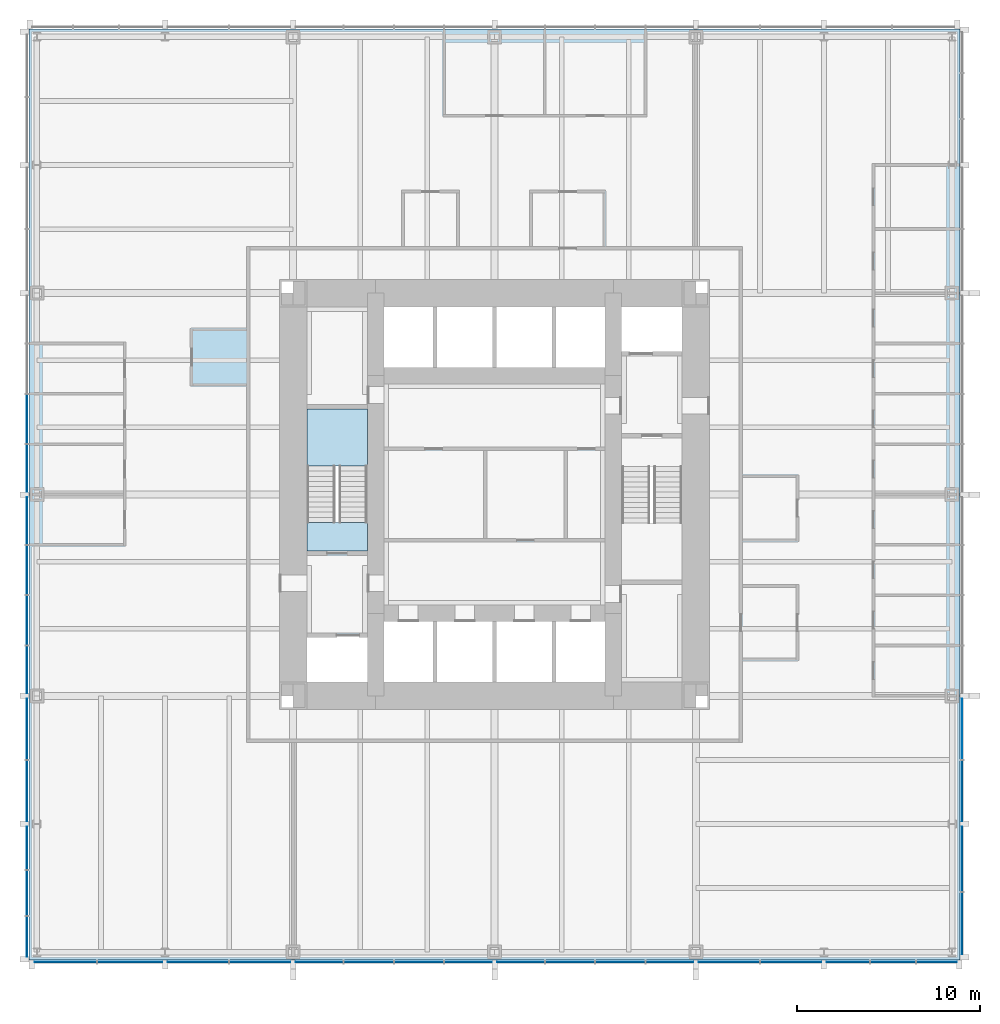
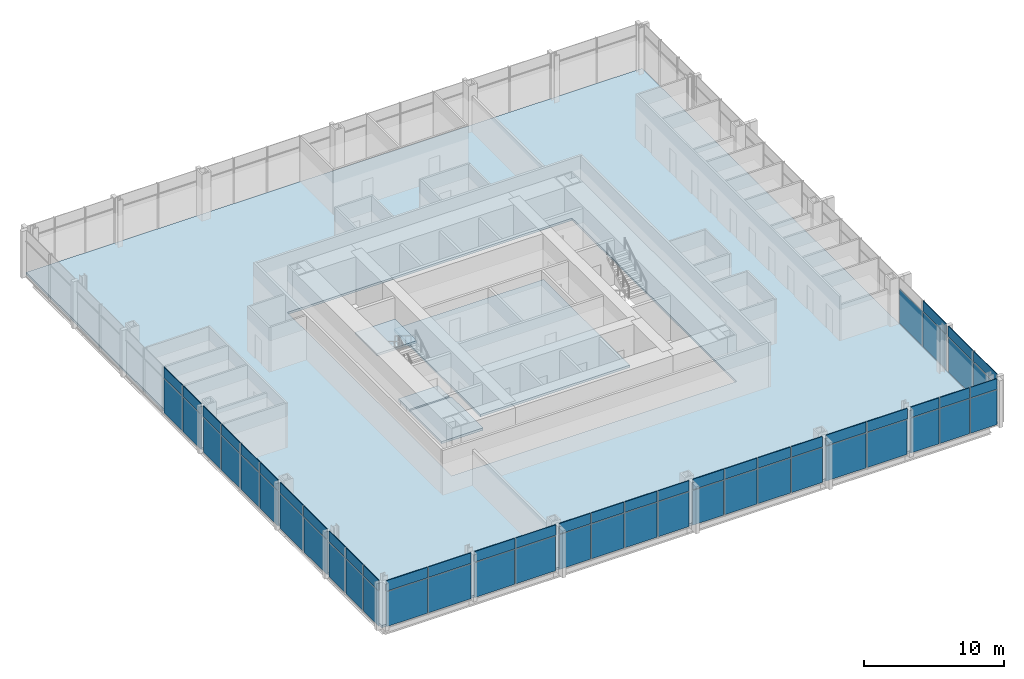
# One storey, part 7 of 12: 63 plates, 5 slabs, 4 elements without a shape of their own.
"""IFC4 building model written with IfcOpenShell, lengths in metres."""

from ifc_helpers import new_model, si_unit, direction, frame, origin, origin_2d, place, context, subcontext, project, spatial, polyline, rectangle, outline, extrude, material, layer, layer_set, type_object, element, aggregate, save


model = new_model("IFC4")

# Units and contexts
model_context = context("Model", 3, precision=1e-05, world=origin(), true_north=direction((0.0, 1.0)))
body_context = subcontext(model_context, "Body", "Model", "MODEL_VIEW")
ifc_project = project(units=[si_unit("LENGTHUNIT", "METRE"), si_unit("AREAUNIT", "SQUARE_METRE"), si_unit("VOLUMEUNIT", "CUBIC_METRE"), si_unit("PLANEANGLEUNIT", "RADIAN"), si_unit("MASSUNIT", "GRAM", prefix="KILO")], contexts=[model_context])

# Site, building, storey
site_placement = place(None, origin())
site = spatial("IfcSite", under=ifc_project, at=site_placement, CompositionType="ELEMENT")
building_placement = place(site_placement, origin())
building = spatial("IfcBuilding", under=site, at=building_placement, Name="Trevanion Tower", CompositionType="ELEMENT")
storey_placement = place(building_placement, frame((0.0, 0.0, 48.800048828125)))
storey = spatial("IfcBuildingStorey", under=building, at=storey_placement, Name="L11", CompositionType="ELEMENT", Elevation=48.800048828125)

# Curtain wall, plates
ifc_material_1 = material(Name="Aluminium and glass", Category="aluminium")
curtain_wall_type = type_object("IfcCurtainWallType", Name="CW1 curtain wall", PredefinedType="USERDEFINED", material=ifc_material_1)
curtain_wall_1_placement = place(storey_placement, origin())
curtain_wall_1 = element("IfcCurtainWall", 1, at=curtain_wall_1_placement, inside=storey, type_object=curtain_wall_type, Name="CW1 L11 0", ObjectType="UNITISED CURTAIN WALL", PredefinedType="USERDEFINED")
ifc_material_2 = material(Name="Aluminium spandrel panel", Category="aluminium")
ifc_layer_1 = layer(ifc_material_2, 0.06005859375)
ifc_layer_set_1 = layer_set([ifc_layer_1], Name="CW1 spandrel panel")
plate_type_1 = type_object("IfcPlateType", Name="CW1 spandrel panel", PredefinedType="CURTAIN_PANEL", material=ifc_layer_set_1)
plate_1_placement = place(storey_placement, frame((25.550048828125, -23.433837890625, 2.997314453125), z_axis=(0.0, 0.0, 1.0), x_axis=(0.0, 1.0, 0.0)))
plate_1 = element("IfcPlate", 2, at=plate_1_placement, type_object=plate_type_1, Name="CW1 panel 1.2", PredefinedType="CURTAIN_PANEL", context=body_context, shape_type="SweptSolid", body=[
    extrude(rectangle(XDim=3.37255859375, YDim=0.06005859375, at=origin_2d()), origin(), (0.0, 0.0, 1.0), 0.91259765625),
])
plate_2_placement = place(storey_placement, frame((25.550048828125, -19.911376953125, 2.997314453125), z_axis=(0.0, 0.0, 1.0), x_axis=(0.0, 1.0, 0.0)))
plate_2 = element("IfcPlate", 3, at=plate_2_placement, type_object=plate_type_1, Name="CW1 panel 2.2", PredefinedType="CURTAIN_PANEL", context=body_context, shape_type="SweptSolid", body=[
    extrude(rectangle(XDim=3.5224609375, YDim=0.06005859375, at=origin_2d()), origin(), (0.0, 0.0, 1.0), 0.91259765625),
])
plate_3_placement = place(storey_placement, frame((25.550048828125, -16.19384765625, 2.997314453125), z_axis=(0.0, 0.0, 1.0), x_axis=(0.0, 1.0, 0.0)))
plate_3 = element("IfcPlate", 4, at=plate_3_placement, type_object=plate_type_1, Name="CW1 panel 3.2", PredefinedType="CURTAIN_PANEL", context=body_context, shape_type="SweptSolid", body=[
    extrude(rectangle(XDim=3.3125, YDim=0.06005859375, at=origin_2d()), origin(), (0.0, 0.0, 1.0), 0.91259765625),
])

curtain_wall_2_placement = place(storey_placement, origin())
curtain_wall_2 = element("IfcCurtainWall", 5, at=curtain_wall_2_placement, inside=storey, type_object=curtain_wall_type, Name="CW1 L11 2", ObjectType="UNITISED CURTAIN WALL", PredefinedType="USERDEFINED")
plate_4_placement = place(storey_placement, frame((-25.550048828125, 4.125, 2.997314453125), z_axis=(0.0, 0.0, 1.0), x_axis=(0.0, -1.0, 0.0)))
plate_4 = element("IfcPlate", 6, at=plate_4_placement, type_object=plate_type_1, Name="CW1 panel 7.2", PredefinedType="CURTAIN_PANEL", context=body_context, shape_type="SweptSolid", body=[
    extrude(rectangle(XDim=2.675048828125, YDim=0.06005859375, at=origin_2d()), origin(), (0.0, 0.0, 1.0), 0.91259765625),
])
plate_5_placement = place(storey_placement, frame((-25.550048828125, 1.43115234375, 2.997314453125), z_axis=(0.0, 0.0, 1.0), x_axis=(0.0, -1.0, 0.0)))
plate_5 = element("IfcPlate", 7, at=plate_5_placement, type_object=plate_type_1, Name="CW1 panel 8.2", PredefinedType="CURTAIN_PANEL", context=body_context, shape_type="SweptSolid", body=[
    extrude(rectangle(XDim=2.5625, YDim=0.06005859375, at=origin_2d()), origin(), (0.0, 0.0, 1.0), 0.91259765625),
])
plate_6_placement = place(storey_placement, frame((-25.550048828125, -1.43115234375, 2.997314453125), z_axis=(0.0, 0.0, 1.0), x_axis=(0.0, -1.0, 0.0)))
plate_6 = element("IfcPlate", 8, at=plate_6_placement, type_object=plate_type_1, Name="CW1 panel 9.2", PredefinedType="CURTAIN_PANEL", context=body_context, shape_type="SweptSolid", body=[
    extrude(rectangle(XDim=2.5625, YDim=0.06005859375, at=origin_2d()), origin(), (0.0, 0.0, 1.0), 0.91259765625),
])
plate_7_placement = place(storey_placement, frame((-25.550048828125, -4.125, 2.997314453125), z_axis=(0.0, 0.0, 1.0), x_axis=(0.0, -1.0, 0.0)))
plate_7 = element("IfcPlate", 9, at=plate_7_placement, type_object=plate_type_1, Name="CW1 panel 10.2", PredefinedType="CURTAIN_PANEL", context=body_context, shape_type="SweptSolid", body=[
    extrude(rectangle(XDim=2.675048828125, YDim=0.06005859375, at=origin_2d()), origin(), (0.0, 0.0, 1.0), 0.91259765625),
])
plate_8_placement = place(storey_placement, frame((-25.550048828125, -6.875, 2.997314453125), z_axis=(0.0, 0.0, 1.0), x_axis=(0.0, -1.0, 0.0)))
plate_8 = element("IfcPlate", 10, at=plate_8_placement, type_object=plate_type_1, Name="CW1 panel 11.2", PredefinedType="CURTAIN_PANEL", context=body_context, shape_type="SweptSolid", body=[
    extrude(rectangle(XDim=2.675048828125, YDim=0.06005859375, at=origin_2d()), origin(), (0.0, 0.0, 1.0), 0.91259765625),
])
plate_9_placement = place(storey_placement, frame((-25.550048828125, -9.56884765625, 2.997314453125), z_axis=(0.0, 0.0, 1.0), x_axis=(0.0, -1.0, 0.0)))
plate_9 = element("IfcPlate", 11, at=plate_9_placement, type_object=plate_type_1, Name="CW1 panel 12.2", PredefinedType="CURTAIN_PANEL", context=body_context, shape_type="SweptSolid", body=[
    extrude(rectangle(XDim=2.5625, YDim=0.06005859375, at=origin_2d()), origin(), (0.0, 0.0, 1.0), 0.91259765625),
])
plate_10_placement = place(storey_placement, frame((-25.550048828125, -12.80615234375, 2.997314453125), z_axis=(0.0, 0.0, 1.0), x_axis=(0.0, -1.0, 0.0)))
plate_10 = element("IfcPlate", 12, at=plate_10_placement, type_object=plate_type_1, Name="CW1 panel 13.2", PredefinedType="CURTAIN_PANEL", context=body_context, shape_type="SweptSolid", body=[
    extrude(rectangle(XDim=3.3125, YDim=0.06005859375, at=origin_2d()), origin(), (0.0, 0.0, 1.0), 0.91259765625),
])
plate_11_placement = place(storey_placement, frame((-25.550048828125, -16.19384765625, 2.997314453125), z_axis=(0.0, 0.0, 1.0), x_axis=(0.0, -1.0, 0.0)))
plate_11 = element("IfcPlate", 13, at=plate_11_placement, type_object=plate_type_1, Name="CW1 panel 14.2", PredefinedType="CURTAIN_PANEL", context=body_context, shape_type="SweptSolid", body=[
    extrude(rectangle(XDim=3.3125, YDim=0.06005859375, at=origin_2d()), origin(), (0.0, 0.0, 1.0), 0.91259765625),
])
plate_12_placement = place(storey_placement, frame((-25.550048828125, -19.314697265625, 2.997314453125), z_axis=(0.0, 0.0, 1.0), x_axis=(0.0, -1.0, 0.0)))
plate_12 = element("IfcPlate", 14, at=plate_12_placement, type_object=plate_type_1, Name="CW1 panel 15.2", PredefinedType="CURTAIN_PANEL", context=body_context, shape_type="SweptSolid", body=[
    extrude(rectangle(XDim=2.3291015625, YDim=0.06005859375, at=origin_2d()), origin(), (0.0, 0.0, 1.0), 0.91259765625),
])
plate_13_placement = place(storey_placement, frame((-25.550048828125, -21.77490234375, 2.997314453125), z_axis=(0.0, 0.0, 1.0), x_axis=(0.0, -1.0, 0.0)))
plate_13 = element("IfcPlate", 15, at=plate_13_placement, type_object=plate_type_1, Name="CW1 panel 16.2", PredefinedType="CURTAIN_PANEL", context=body_context, shape_type="SweptSolid", body=[
    extrude(rectangle(XDim=2.441650390625, YDim=0.06005859375, at=origin_2d()), origin(), (0.0, 0.0, 1.0), 0.91259765625),
])
plate_14_placement = place(storey_placement, frame((-25.550048828125, -24.160400390625, 2.997314453125), z_axis=(0.0, 0.0, 1.0), x_axis=(0.0, -1.0, 0.0)))
plate_14 = element("IfcPlate", 16, at=plate_14_placement, type_object=plate_type_1, Name="CW1 panel 17.2", PredefinedType="CURTAIN_PANEL", context=body_context, shape_type="SweptSolid", body=[
    extrude(rectangle(XDim=2.17919921875, YDim=0.06005859375, at=origin_2d()), origin(), (0.0, 0.0, 1.0), 0.91259765625),
])

curtain_wall_3_placement = place(storey_placement, origin())
curtain_wall_3 = element("IfcCurtainWall", 17, at=curtain_wall_3_placement, inside=storey, type_object=curtain_wall_type, Name="CW1 L11 3", ObjectType="UNITISED CURTAIN WALL", PredefinedType="USERDEFINED")
plate_15_placement = place(storey_placement, frame((-23.433837890625, -25.550048828125, 2.997314453125), z_axis=(0.0, 0.0, 1.0), x_axis=(1.0, 0.0, 0.0)))
plate_15 = element("IfcPlate", 18, at=plate_15_placement, type_object=plate_type_1, Name="CW1 panel 1.2", PredefinedType="CURTAIN_PANEL", context=body_context, shape_type="SweptSolid", body=[
    extrude(rectangle(XDim=3.37255859375, YDim=0.06005859375, at=origin_2d()), origin(), (0.0, 0.0, 1.0), 0.91259765625),
])
plate_16_placement = place(storey_placement, frame((-19.911376953125, -25.550048828125, 2.997314453125), z_axis=(0.0, 0.0, 1.0), x_axis=(1.0, 0.0, 0.0)))
plate_16 = element("IfcPlate", 19, at=plate_16_placement, type_object=plate_type_1, Name="CW1 panel 2.2", PredefinedType="CURTAIN_PANEL", context=body_context, shape_type="SweptSolid", body=[
    extrude(rectangle(XDim=3.5224609375, YDim=0.06005859375, at=origin_2d()), origin(), (0.0, 0.0, 1.0), 0.91259765625),
])
plate_17_placement = place(storey_placement, frame((-16.19384765625, -25.550048828125, 2.997314453125), z_axis=(0.0, 0.0, 1.0), x_axis=(1.0, 0.0, 0.0)))
plate_17 = element("IfcPlate", 20, at=plate_17_placement, type_object=plate_type_1, Name="CW1 panel 3.2", PredefinedType="CURTAIN_PANEL", context=body_context, shape_type="SweptSolid", body=[
    extrude(rectangle(XDim=3.3125, YDim=0.06005859375, at=origin_2d()), origin(), (0.0, 0.0, 1.0), 0.91259765625),
])
plate_18_placement = place(storey_placement, frame((-12.806396484375, -25.550048828125, 2.997314453125), z_axis=(0.0, 0.0, 1.0), x_axis=(1.0, 0.0, 0.0)))
plate_18 = element("IfcPlate", 21, at=plate_18_placement, type_object=plate_type_1, Name="CW1 panel 4.2", PredefinedType="CURTAIN_PANEL", context=body_context, shape_type="SweptSolid", body=[
    extrude(rectangle(XDim=3.3125, YDim=0.06005859375, at=origin_2d()), origin(), (0.0, 0.0, 1.0), 0.91259765625),
])
plate_19_placement = place(storey_placement, frame((-9.56884765625, -25.550048828125, 2.997314453125), z_axis=(0.0, 0.0, 1.0), x_axis=(1.0, 0.0, 0.0)))
plate_19 = element("IfcPlate", 22, at=plate_19_placement, type_object=plate_type_1, Name="CW1 panel 5.2", PredefinedType="CURTAIN_PANEL", context=body_context, shape_type="SweptSolid", body=[
    extrude(rectangle(XDim=2.5625, YDim=0.06005859375, at=origin_2d()), origin(), (0.0, 0.0, 1.0), 0.91259765625),
])
plate_20_placement = place(storey_placement, frame((-6.875, -25.550048828125, 2.997314453125), z_axis=(0.0, 0.0, 1.0), x_axis=(1.0, 0.0, 0.0)))
plate_20 = element("IfcPlate", 23, at=plate_20_placement, type_object=plate_type_1, Name="CW1 panel 6.2", PredefinedType="CURTAIN_PANEL", context=body_context, shape_type="SweptSolid", body=[
    extrude(rectangle(XDim=2.675048828125, YDim=0.06005859375, at=origin_2d()), origin(), (0.0, 0.0, 1.0), 0.91259765625),
])
plate_21_placement = place(storey_placement, frame((-4.125, -25.550048828125, 2.997314453125), z_axis=(0.0, 0.0, 1.0), x_axis=(1.0, 0.0, 0.0)))
plate_21 = element("IfcPlate", 24, at=plate_21_placement, type_object=plate_type_1, Name="CW1 panel 7.2", PredefinedType="CURTAIN_PANEL", context=body_context, shape_type="SweptSolid", body=[
    extrude(rectangle(XDim=2.675048828125, YDim=0.06005859375, at=origin_2d()), origin(), (0.0, 0.0, 1.0), 0.91259765625),
])
plate_22_placement = place(storey_placement, frame((-1.43115234375, -25.550048828125, 2.997314453125), z_axis=(0.0, 0.0, 1.0), x_axis=(1.0, 0.0, 0.0)))
plate_22 = element("IfcPlate", 25, at=plate_22_placement, type_object=plate_type_1, Name="CW1 panel 8.2", PredefinedType="CURTAIN_PANEL", context=body_context, shape_type="SweptSolid", body=[
    extrude(rectangle(XDim=2.5625, YDim=0.06005859375, at=origin_2d()), origin(), (0.0, 0.0, 1.0), 0.91259765625),
])
plate_23_placement = place(storey_placement, frame((1.43115234375, -25.550048828125, 2.997314453125), z_axis=(0.0, 0.0, 1.0), x_axis=(1.0, 0.0, 0.0)))
plate_23 = element("IfcPlate", 26, at=plate_23_placement, type_object=plate_type_1, Name="CW1 panel 9.2", PredefinedType="CURTAIN_PANEL", context=body_context, shape_type="SweptSolid", body=[
    extrude(rectangle(XDim=2.5625, YDim=0.06005859375, at=origin_2d()), origin(), (0.0, 0.0, 1.0), 0.91259765625),
])
plate_24_placement = place(storey_placement, frame((4.125, -25.550048828125, 2.997314453125), z_axis=(0.0, 0.0, 1.0), x_axis=(1.0, 0.0, 0.0)))
plate_24 = element("IfcPlate", 27, at=plate_24_placement, type_object=plate_type_1, Name="CW1 panel 10.2", PredefinedType="CURTAIN_PANEL", context=body_context, shape_type="SweptSolid", body=[
    extrude(rectangle(XDim=2.675048828125, YDim=0.06005859375, at=origin_2d()), origin(), (0.0, 0.0, 1.0), 0.91259765625),
])
plate_25_placement = place(storey_placement, frame((6.875, -25.550048828125, 2.997314453125), z_axis=(0.0, 0.0, 1.0), x_axis=(1.0, 0.0, 0.0)))
plate_25 = element("IfcPlate", 28, at=plate_25_placement, type_object=plate_type_1, Name="CW1 panel 11.2", PredefinedType="CURTAIN_PANEL", context=body_context, shape_type="SweptSolid", body=[
    extrude(rectangle(XDim=2.675048828125, YDim=0.06005859375, at=origin_2d()), origin(), (0.0, 0.0, 1.0), 0.91259765625),
])
plate_26_placement = place(storey_placement, frame((9.56884765625, -25.550048828125, 2.997314453125), z_axis=(0.0, 0.0, 1.0), x_axis=(1.0, 0.0, 0.0)))
plate_26 = element("IfcPlate", 29, at=plate_26_placement, type_object=plate_type_1, Name="CW1 panel 12.2", PredefinedType="CURTAIN_PANEL", context=body_context, shape_type="SweptSolid", body=[
    extrude(rectangle(XDim=2.5625, YDim=0.06005859375, at=origin_2d()), origin(), (0.0, 0.0, 1.0), 0.91259765625),
])
plate_27_placement = place(storey_placement, frame((12.80615234375, -25.550048828125, 2.997314453125), z_axis=(0.0, 0.0, 1.0), x_axis=(1.0, 0.0, 0.0)))
plate_27 = element("IfcPlate", 30, at=plate_27_placement, type_object=plate_type_1, Name="CW1 panel 13.2", PredefinedType="CURTAIN_PANEL", context=body_context, shape_type="SweptSolid", body=[
    extrude(rectangle(XDim=3.3125, YDim=0.06005859375, at=origin_2d()), origin(), (0.0, 0.0, 1.0), 0.91259765625),
])
plate_28_placement = place(storey_placement, frame((16.19384765625, -25.550048828125, 2.997314453125), z_axis=(0.0, 0.0, 1.0), x_axis=(1.0, 0.0, 0.0)))
plate_28 = element("IfcPlate", 31, at=plate_28_placement, type_object=plate_type_1, Name="CW1 panel 14.2", PredefinedType="CURTAIN_PANEL", context=body_context, shape_type="SweptSolid", body=[
    extrude(rectangle(XDim=3.3125, YDim=0.06005859375, at=origin_2d()), origin(), (0.0, 0.0, 1.0), 0.91259765625),
])
plate_29_placement = place(storey_placement, frame((19.314697265625, -25.550048828125, 2.997314453125), z_axis=(0.0, 0.0, 1.0), x_axis=(1.0, 0.0, 0.0)))
plate_29 = element("IfcPlate", 32, at=plate_29_placement, type_object=plate_type_1, Name="CW1 panel 15.2", PredefinedType="CURTAIN_PANEL", context=body_context, shape_type="SweptSolid", body=[
    extrude(rectangle(XDim=2.3291015625, YDim=0.06005859375, at=origin_2d()), origin(), (0.0, 0.0, 1.0), 0.91259765625),
])
plate_30_placement = place(storey_placement, frame((21.77490234375, -25.550048828125, 2.997314453125), z_axis=(0.0, 0.0, 1.0), x_axis=(1.0, 0.0, 0.0)))
plate_30 = element("IfcPlate", 33, at=plate_30_placement, type_object=plate_type_1, Name="CW1 panel 16.2", PredefinedType="CURTAIN_PANEL", context=body_context, shape_type="SweptSolid", body=[
    extrude(rectangle(XDim=2.441650390625, YDim=0.06005859375, at=origin_2d()), origin(), (0.0, 0.0, 1.0), 0.91259765625),
])
plate_31_placement = place(storey_placement, frame((24.160400390625, -25.550048828125, 2.997314453125), z_axis=(0.0, 0.0, 1.0), x_axis=(1.0, 0.0, 0.0)))
plate_31 = element("IfcPlate", 34, at=plate_31_placement, type_object=plate_type_1, Name="CW1 panel 17.2", PredefinedType="CURTAIN_PANEL", context=body_context, shape_type="SweptSolid", body=[
    extrude(rectangle(XDim=2.17919921875, YDim=0.06005859375, at=origin_2d()), origin(), (0.0, 0.0, 1.0), 0.91259765625),
])

# Plate
ifc_material_3 = material(Name="Insulating glass unit", Category="glass")
ifc_layer_2 = layer(ifc_material_3, 0.028076171875)
ifc_layer_set_2 = layer_set([ifc_layer_2], Name="CW1 vision panel")
plate_type_2 = type_object("IfcPlateType", Name="CW1 vision panel", PredefinedType="CURTAIN_PANEL", material=ifc_layer_set_2)
plate_32_placement = place(storey_placement, frame((25.550048828125, -23.433837890625, -0.115234375), z_axis=(0.0, 0.0, 1.0), x_axis=(0.0, 1.0, 0.0)))
plate_32 = element("IfcPlate", 35, at=plate_32_placement, type_object=plate_type_2, Name="CW1 panel 1.1", PredefinedType="CURTAIN_PANEL", context=body_context, shape_type="SweptSolid", body=[
    extrude(rectangle(XDim=3.37255859375, YDim=0.028076171875, at=origin_2d()), origin(), (0.0, 0.0, 1.0), 3.03759765625),
])

plate_33_placement = place(storey_placement, frame((25.550048828125, -19.911376953125, -0.115234375), z_axis=(0.0, 0.0, 1.0), x_axis=(0.0, 1.0, 0.0)))
plate_33 = element("IfcPlate", 36, at=plate_33_placement, type_object=plate_type_2, Name="CW1 panel 2.1", PredefinedType="CURTAIN_PANEL", context=body_context, shape_type="SweptSolid", body=[
    extrude(rectangle(XDim=3.5224609375, YDim=0.028076171875, at=origin_2d()), origin(), (0.0, 0.0, 1.0), 3.03759765625),
])

plate_34_placement = place(storey_placement, frame((25.550048828125, -16.19384765625, -0.115234375), z_axis=(0.0, 0.0, 1.0), x_axis=(0.0, 1.0, 0.0)))
plate_34 = element("IfcPlate", 37, at=plate_34_placement, type_object=plate_type_2, Name="CW1 panel 3.1", PredefinedType="CURTAIN_PANEL", context=body_context, shape_type="SweptSolid", body=[
    extrude(rectangle(XDim=3.3125, YDim=0.028076171875, at=origin_2d()), origin(), (0.0, 0.0, 1.0), 3.03759765625),
])

plate_35_placement = place(storey_placement, frame((25.550048828125, -12.806396484375, -0.115234375), z_axis=(0.0, 0.0, 1.0), x_axis=(0.0, 1.0, 0.0)))
plate_35 = element("IfcPlate", 38, at=plate_35_placement, type_object=plate_type_2, Name="CW1 panel 4.1", PredefinedType="CURTAIN_PANEL", context=body_context, shape_type="SweptSolid", body=[
    extrude(rectangle(XDim=3.3125, YDim=0.028076171875, at=origin_2d()), origin(), (0.0, 0.0, 1.0), 3.03759765625),
])

aggregate(curtain_wall_1, [plate_32, plate_1, plate_33, plate_2, plate_34, plate_3, plate_35])

plate_36_placement = place(storey_placement, frame((-25.550048828125, 4.125, -0.115234375), z_axis=(0.0, 0.0, 1.0), x_axis=(0.0, -1.0, 0.0)))
plate_36 = element("IfcPlate", 39, at=plate_36_placement, type_object=plate_type_2, Name="CW1 panel 7.1", PredefinedType="CURTAIN_PANEL", context=body_context, shape_type="SweptSolid", body=[
    extrude(rectangle(XDim=2.675048828125, YDim=0.028076171875, at=origin_2d()), origin(), (0.0, 0.0, 1.0), 3.03759765625),
])

plate_37_placement = place(storey_placement, frame((-25.550048828125, 1.43115234375, -0.115234375), z_axis=(0.0, 0.0, 1.0), x_axis=(0.0, -1.0, 0.0)))
plate_37 = element("IfcPlate", 40, at=plate_37_placement, type_object=plate_type_2, Name="CW1 panel 8.1", PredefinedType="CURTAIN_PANEL", context=body_context, shape_type="SweptSolid", body=[
    extrude(rectangle(XDim=2.5625, YDim=0.028076171875, at=origin_2d()), origin(), (0.0, 0.0, 1.0), 3.03759765625),
])

plate_38_placement = place(storey_placement, frame((-25.550048828125, -1.43115234375, -0.115234375), z_axis=(0.0, 0.0, 1.0), x_axis=(0.0, -1.0, 0.0)))
plate_38 = element("IfcPlate", 41, at=plate_38_placement, type_object=plate_type_2, Name="CW1 panel 9.1", PredefinedType="CURTAIN_PANEL", context=body_context, shape_type="SweptSolid", body=[
    extrude(rectangle(XDim=2.5625, YDim=0.028076171875, at=origin_2d()), origin(), (0.0, 0.0, 1.0), 3.03759765625),
])

plate_39_placement = place(storey_placement, frame((-25.550048828125, -4.125, -0.115234375), z_axis=(0.0, 0.0, 1.0), x_axis=(0.0, -1.0, 0.0)))
plate_39 = element("IfcPlate", 42, at=plate_39_placement, type_object=plate_type_2, Name="CW1 panel 10.1", PredefinedType="CURTAIN_PANEL", context=body_context, shape_type="SweptSolid", body=[
    extrude(rectangle(XDim=2.675048828125, YDim=0.028076171875, at=origin_2d()), origin(), (0.0, 0.0, 1.0), 3.03759765625),
])

plate_40_placement = place(storey_placement, frame((-25.550048828125, -6.875, -0.115234375), z_axis=(0.0, 0.0, 1.0), x_axis=(0.0, -1.0, 0.0)))
plate_40 = element("IfcPlate", 43, at=plate_40_placement, type_object=plate_type_2, Name="CW1 panel 11.1", PredefinedType="CURTAIN_PANEL", context=body_context, shape_type="SweptSolid", body=[
    extrude(rectangle(XDim=2.675048828125, YDim=0.028076171875, at=origin_2d()), origin(), (0.0, 0.0, 1.0), 3.03759765625),
])

plate_41_placement = place(storey_placement, frame((-25.550048828125, -9.56884765625, -0.115234375), z_axis=(0.0, 0.0, 1.0), x_axis=(0.0, -1.0, 0.0)))
plate_41 = element("IfcPlate", 44, at=plate_41_placement, type_object=plate_type_2, Name="CW1 panel 12.1", PredefinedType="CURTAIN_PANEL", context=body_context, shape_type="SweptSolid", body=[
    extrude(rectangle(XDim=2.5625, YDim=0.028076171875, at=origin_2d()), origin(), (0.0, 0.0, 1.0), 3.03759765625),
])

plate_42_placement = place(storey_placement, frame((-25.550048828125, -12.80615234375, -0.115234375), z_axis=(0.0, 0.0, 1.0), x_axis=(0.0, -1.0, 0.0)))
plate_42 = element("IfcPlate", 45, at=plate_42_placement, type_object=plate_type_2, Name="CW1 panel 13.1", PredefinedType="CURTAIN_PANEL", context=body_context, shape_type="SweptSolid", body=[
    extrude(rectangle(XDim=3.3125, YDim=0.028076171875, at=origin_2d()), origin(), (0.0, 0.0, 1.0), 3.03759765625),
])

plate_43_placement = place(storey_placement, frame((-25.550048828125, -16.19384765625, -0.115234375), z_axis=(0.0, 0.0, 1.0), x_axis=(0.0, -1.0, 0.0)))
plate_43 = element("IfcPlate", 46, at=plate_43_placement, type_object=plate_type_2, Name="CW1 panel 14.1", PredefinedType="CURTAIN_PANEL", context=body_context, shape_type="SweptSolid", body=[
    extrude(rectangle(XDim=3.3125, YDim=0.028076171875, at=origin_2d()), origin(), (0.0, 0.0, 1.0), 3.03759765625),
])

plate_44_placement = place(storey_placement, frame((-25.550048828125, -19.314697265625, -0.115234375), z_axis=(0.0, 0.0, 1.0), x_axis=(0.0, -1.0, 0.0)))
plate_44 = element("IfcPlate", 47, at=plate_44_placement, type_object=plate_type_2, Name="CW1 panel 15.1", PredefinedType="CURTAIN_PANEL", context=body_context, shape_type="SweptSolid", body=[
    extrude(rectangle(XDim=2.3291015625, YDim=0.028076171875, at=origin_2d()), origin(), (0.0, 0.0, 1.0), 3.03759765625),
])

plate_45_placement = place(storey_placement, frame((-25.550048828125, -21.77490234375, -0.115234375), z_axis=(0.0, 0.0, 1.0), x_axis=(0.0, -1.0, 0.0)))
plate_45 = element("IfcPlate", 48, at=plate_45_placement, type_object=plate_type_2, Name="CW1 panel 16.1", PredefinedType="CURTAIN_PANEL", context=body_context, shape_type="SweptSolid", body=[
    extrude(rectangle(XDim=2.441650390625, YDim=0.028076171875, at=origin_2d()), origin(), (0.0, 0.0, 1.0), 3.03759765625),
])

plate_46_placement = place(storey_placement, frame((-25.550048828125, -24.160400390625, -0.115234375), z_axis=(0.0, 0.0, 1.0), x_axis=(0.0, -1.0, 0.0)))
plate_46 = element("IfcPlate", 49, at=plate_46_placement, type_object=plate_type_2, Name="CW1 panel 17.1", PredefinedType="CURTAIN_PANEL", context=body_context, shape_type="SweptSolid", body=[
    extrude(rectangle(XDim=2.17919921875, YDim=0.028076171875, at=origin_2d()), origin(), (0.0, 0.0, 1.0), 3.03759765625),
])

aggregate(curtain_wall_2, [plate_36, plate_4, plate_37, plate_5, plate_38, plate_6, plate_39, plate_7, plate_40, plate_8, plate_41, plate_9, plate_42, plate_10, plate_43, plate_11, plate_44, plate_12, plate_45, plate_13, plate_46, plate_14])

plate_47_placement = place(storey_placement, frame((-23.433837890625, -25.550048828125, -0.115234375), z_axis=(0.0, 0.0, 1.0), x_axis=(1.0, 0.0, 0.0)))
plate_47 = element("IfcPlate", 50, at=plate_47_placement, type_object=plate_type_2, Name="CW1 panel 1.1", PredefinedType="CURTAIN_PANEL", context=body_context, shape_type="SweptSolid", body=[
    extrude(rectangle(XDim=3.37255859375, YDim=0.028076171875, at=origin_2d()), origin(), (0.0, 0.0, 1.0), 3.03759765625),
])

plate_48_placement = place(storey_placement, frame((-19.911376953125, -25.550048828125, -0.115234375), z_axis=(0.0, 0.0, 1.0), x_axis=(1.0, 0.0, 0.0)))
plate_48 = element("IfcPlate", 51, at=plate_48_placement, type_object=plate_type_2, Name="CW1 panel 2.1", PredefinedType="CURTAIN_PANEL", context=body_context, shape_type="SweptSolid", body=[
    extrude(rectangle(XDim=3.5224609375, YDim=0.028076171875, at=origin_2d()), origin(), (0.0, 0.0, 1.0), 3.03759765625),
])

plate_49_placement = place(storey_placement, frame((-16.19384765625, -25.550048828125, -0.115234375), z_axis=(0.0, 0.0, 1.0), x_axis=(1.0, 0.0, 0.0)))
plate_49 = element("IfcPlate", 52, at=plate_49_placement, type_object=plate_type_2, Name="CW1 panel 3.1", PredefinedType="CURTAIN_PANEL", context=body_context, shape_type="SweptSolid", body=[
    extrude(rectangle(XDim=3.3125, YDim=0.028076171875, at=origin_2d()), origin(), (0.0, 0.0, 1.0), 3.03759765625),
])

plate_50_placement = place(storey_placement, frame((-12.806396484375, -25.550048828125, -0.115234375), z_axis=(0.0, 0.0, 1.0), x_axis=(1.0, 0.0, 0.0)))
plate_50 = element("IfcPlate", 53, at=plate_50_placement, type_object=plate_type_2, Name="CW1 panel 4.1", PredefinedType="CURTAIN_PANEL", context=body_context, shape_type="SweptSolid", body=[
    extrude(rectangle(XDim=3.3125, YDim=0.028076171875, at=origin_2d()), origin(), (0.0, 0.0, 1.0), 3.03759765625),
])

plate_51_placement = place(storey_placement, frame((-9.56884765625, -25.550048828125, -0.115234375), z_axis=(0.0, 0.0, 1.0), x_axis=(1.0, 0.0, 0.0)))
plate_51 = element("IfcPlate", 54, at=plate_51_placement, type_object=plate_type_2, Name="CW1 panel 5.1", PredefinedType="CURTAIN_PANEL", context=body_context, shape_type="SweptSolid", body=[
    extrude(rectangle(XDim=2.5625, YDim=0.028076171875, at=origin_2d()), origin(), (0.0, 0.0, 1.0), 3.03759765625),
])

plate_52_placement = place(storey_placement, frame((-6.875, -25.550048828125, -0.115234375), z_axis=(0.0, 0.0, 1.0), x_axis=(1.0, 0.0, 0.0)))
plate_52 = element("IfcPlate", 55, at=plate_52_placement, type_object=plate_type_2, Name="CW1 panel 6.1", PredefinedType="CURTAIN_PANEL", context=body_context, shape_type="SweptSolid", body=[
    extrude(rectangle(XDim=2.675048828125, YDim=0.028076171875, at=origin_2d()), origin(), (0.0, 0.0, 1.0), 3.03759765625),
])

plate_53_placement = place(storey_placement, frame((-4.125, -25.550048828125, -0.115234375), z_axis=(0.0, 0.0, 1.0), x_axis=(1.0, 0.0, 0.0)))
plate_53 = element("IfcPlate", 56, at=plate_53_placement, type_object=plate_type_2, Name="CW1 panel 7.1", PredefinedType="CURTAIN_PANEL", context=body_context, shape_type="SweptSolid", body=[
    extrude(rectangle(XDim=2.675048828125, YDim=0.028076171875, at=origin_2d()), origin(), (0.0, 0.0, 1.0), 3.03759765625),
])

plate_54_placement = place(storey_placement, frame((-1.43115234375, -25.550048828125, -0.115234375), z_axis=(0.0, 0.0, 1.0), x_axis=(1.0, 0.0, 0.0)))
plate_54 = element("IfcPlate", 57, at=plate_54_placement, type_object=plate_type_2, Name="CW1 panel 8.1", PredefinedType="CURTAIN_PANEL", context=body_context, shape_type="SweptSolid", body=[
    extrude(rectangle(XDim=2.5625, YDim=0.028076171875, at=origin_2d()), origin(), (0.0, 0.0, 1.0), 3.03759765625),
])

plate_55_placement = place(storey_placement, frame((1.43115234375, -25.550048828125, -0.115234375), z_axis=(0.0, 0.0, 1.0), x_axis=(1.0, 0.0, 0.0)))
plate_55 = element("IfcPlate", 58, at=plate_55_placement, type_object=plate_type_2, Name="CW1 panel 9.1", PredefinedType="CURTAIN_PANEL", context=body_context, shape_type="SweptSolid", body=[
    extrude(rectangle(XDim=2.5625, YDim=0.028076171875, at=origin_2d()), origin(), (0.0, 0.0, 1.0), 3.03759765625),
])

plate_56_placement = place(storey_placement, frame((4.125, -25.550048828125, -0.115234375), z_axis=(0.0, 0.0, 1.0), x_axis=(1.0, 0.0, 0.0)))
plate_56 = element("IfcPlate", 59, at=plate_56_placement, type_object=plate_type_2, Name="CW1 panel 10.1", PredefinedType="CURTAIN_PANEL", context=body_context, shape_type="SweptSolid", body=[
    extrude(rectangle(XDim=2.675048828125, YDim=0.028076171875, at=origin_2d()), origin(), (0.0, 0.0, 1.0), 3.03759765625),
])

plate_57_placement = place(storey_placement, frame((6.875, -25.550048828125, -0.115234375), z_axis=(0.0, 0.0, 1.0), x_axis=(1.0, 0.0, 0.0)))
plate_57 = element("IfcPlate", 60, at=plate_57_placement, type_object=plate_type_2, Name="CW1 panel 11.1", PredefinedType="CURTAIN_PANEL", context=body_context, shape_type="SweptSolid", body=[
    extrude(rectangle(XDim=2.675048828125, YDim=0.028076171875, at=origin_2d()), origin(), (0.0, 0.0, 1.0), 3.03759765625),
])

plate_58_placement = place(storey_placement, frame((9.56884765625, -25.550048828125, -0.115234375), z_axis=(0.0, 0.0, 1.0), x_axis=(1.0, 0.0, 0.0)))
plate_58 = element("IfcPlate", 61, at=plate_58_placement, type_object=plate_type_2, Name="CW1 panel 12.1", PredefinedType="CURTAIN_PANEL", context=body_context, shape_type="SweptSolid", body=[
    extrude(rectangle(XDim=2.5625, YDim=0.028076171875, at=origin_2d()), origin(), (0.0, 0.0, 1.0), 3.03759765625),
])

plate_59_placement = place(storey_placement, frame((12.80615234375, -25.550048828125, -0.115234375), z_axis=(0.0, 0.0, 1.0), x_axis=(1.0, 0.0, 0.0)))
plate_59 = element("IfcPlate", 62, at=plate_59_placement, type_object=plate_type_2, Name="CW1 panel 13.1", PredefinedType="CURTAIN_PANEL", context=body_context, shape_type="SweptSolid", body=[
    extrude(rectangle(XDim=3.3125, YDim=0.028076171875, at=origin_2d()), origin(), (0.0, 0.0, 1.0), 3.03759765625),
])

plate_60_placement = place(storey_placement, frame((16.19384765625, -25.550048828125, -0.115234375), z_axis=(0.0, 0.0, 1.0), x_axis=(1.0, 0.0, 0.0)))
plate_60 = element("IfcPlate", 63, at=plate_60_placement, type_object=plate_type_2, Name="CW1 panel 14.1", PredefinedType="CURTAIN_PANEL", context=body_context, shape_type="SweptSolid", body=[
    extrude(rectangle(XDim=3.3125, YDim=0.028076171875, at=origin_2d()), origin(), (0.0, 0.0, 1.0), 3.03759765625),
])

plate_61_placement = place(storey_placement, frame((19.314697265625, -25.550048828125, -0.115234375), z_axis=(0.0, 0.0, 1.0), x_axis=(1.0, 0.0, 0.0)))
plate_61 = element("IfcPlate", 64, at=plate_61_placement, type_object=plate_type_2, Name="CW1 panel 15.1", PredefinedType="CURTAIN_PANEL", context=body_context, shape_type="SweptSolid", body=[
    extrude(rectangle(XDim=2.3291015625, YDim=0.028076171875, at=origin_2d()), origin(), (0.0, 0.0, 1.0), 3.03759765625),
])

plate_62_placement = place(storey_placement, frame((21.77490234375, -25.550048828125, -0.115234375), z_axis=(0.0, 0.0, 1.0), x_axis=(1.0, 0.0, 0.0)))
plate_62 = element("IfcPlate", 65, at=plate_62_placement, type_object=plate_type_2, Name="CW1 panel 16.1", PredefinedType="CURTAIN_PANEL", context=body_context, shape_type="SweptSolid", body=[
    extrude(rectangle(XDim=2.441650390625, YDim=0.028076171875, at=origin_2d()), origin(), (0.0, 0.0, 1.0), 3.03759765625),
])

plate_63_placement = place(storey_placement, frame((24.160400390625, -25.550048828125, -0.115234375), z_axis=(0.0, 0.0, 1.0), x_axis=(1.0, 0.0, 0.0)))
plate_63 = element("IfcPlate", 66, at=plate_63_placement, type_object=plate_type_2, Name="CW1 panel 17.1", PredefinedType="CURTAIN_PANEL", context=body_context, shape_type="SweptSolid", body=[
    extrude(rectangle(XDim=2.17919921875, YDim=0.028076171875, at=origin_2d()), origin(), (0.0, 0.0, 1.0), 3.03759765625),
])

aggregate(curtain_wall_3, [plate_47, plate_15, plate_48, plate_16, plate_49, plate_17, plate_50, plate_18, plate_51, plate_19, plate_52, plate_20, plate_53, plate_21, plate_54, plate_22, plate_55, plate_23, plate_56, plate_24, plate_57, plate_25, plate_58, plate_26, plate_59, plate_27, plate_60, plate_28, plate_61, plate_29, plate_62, plate_30, plate_63, plate_31])

# Slabs
ifc_material_4 = material(Name="Concrete 5,000 psi on composite metal deck", Category="concrete")
ifc_layer_3 = layer(ifc_material_4, 0.18994140625)
ifc_layer_set_3 = layer_set([ifc_layer_3], Name="SL1 composite floor 190")
slab_type_1 = type_object("IfcSlabType", Name="SL1 composite floor 190", PredefinedType="FLOOR", material=ifc_layer_set_3)
slab_1_placement = place(storey_placement, frame((0.0, 0.0, -0.18994140625)))
element("IfcSlab", 67, at=slab_1_placement, inside=storey, type_object=slab_type_1, Name="SL1 L11 floor", PredefinedType="FLOOR", context=body_context, shape_type="SweptSolid", body=[
    extrude(outline(polyline([(25.419921875, -25.419921875), (25.419921875, 25.419921875), (-25.419921875, 25.419921875), (-25.419921875, -25.419921875), (25.419921875, -25.419921875)]), holes=[polyline([(11.75, -11.75), (11.75, 11.75), (-11.75, 11.75), (-11.75, -11.75), (11.75, -11.75)])]), origin(), (0.0, 0.0, 1.0), 0.18994140625),
])
ifc_material_5 = material(Name="Concrete 5,000 psi", Category="concrete")
ifc_layer_4 = layer(ifc_material_5, 0.199951171875)
ifc_layer_set_4 = layer_set([ifc_layer_4], Name="SL2 core floor 200")
slab_type_2 = type_object("IfcSlabType", Name="SL2 core floor 200", PredefinedType="FLOOR", material=ifc_layer_set_4)
slab_2_placement = place(storey_placement, frame((0.0, 0.0, -0.199951171875)))
element("IfcSlab", 68, at=slab_2_placement, inside=storey, type_object=slab_type_2, Name="SL2 L11 core floor 2", PredefinedType="FLOOR", context=body_context, shape_type="SweptSolid", body=[
    extrude(outline(polyline([(-6.830078125, -3.205078125), (-6.830078125, -7.695068359375), (-10.25, -7.695068359375), (-10.25, -3.205078125), (-6.830078125, -3.205078125)])), origin(), (0.0, 0.0, 1.0), 0.199951171875),
])
slab_3_placement = place(storey_placement, frame((0.0, 0.0, -0.199951171875)))
element("IfcSlab", 69, at=slab_3_placement, inside=storey, type_object=slab_type_2, Name="SL2 L11 core floor 3", PredefinedType="FLOOR", context=body_context, shape_type="SweptSolid", body=[
    extrude(outline(polyline([(6.169921875, -6.169921875), (-6.169921875, -6.169921875), (-6.169921875, 6.169921875), (6.169921875, 6.169921875), (6.169921875, -6.169921875)])), origin(), (0.0, 0.0, 1.0), 0.199951171875),
])

# Stair, slabs
ifc_material_6 = material(Name="Concrete 5,000 psi on steel stringers", Category="concrete")
stair_type = type_object("IfcStairType", Name="ST stair", PredefinedType="HALF_TURN_STAIR", material=ifc_material_6)
stair_placement = place(storey_placement, origin())
stair = element("IfcStair", 70, at=stair_placement, inside=storey, type_object=stair_type, Name="ST2 L11", PredefinedType="HALF_TURN_STAIR")
ifc_material_7 = material(Name="Concrete 5,000 psi in steel pan", Category="concrete")
ifc_layer_5 = layer(ifc_material_7, 0.199951171875)
ifc_layer_set_5 = layer_set([ifc_layer_5], Name="STL stair landing 200")
slab_type_3 = type_object("IfcSlabType", Name="STL stair landing 200", PredefinedType="LANDING", material=ifc_layer_set_5)
slab_4_placement = place(storey_placement, frame((0.0, 0.0, -0.199951171875)))
slab_4 = element("IfcSlab", 71, at=slab_4_placement, type_object=slab_type_3, Name="ST2 landing 1", PredefinedType="LANDING", context=body_context, shape_type="SweptSolid", body=[
    extrude(outline(polyline([(-6.949951171875, -1.52490234375), (-10.25, -1.52490234375), (-10.25, -3.074951171875), (-6.949951171875, -3.074951171875), (-6.949951171875, -1.52490234375)])), origin(), (0.0, 0.0, 1.0), 0.199951171875),
])
slab_5_placement = place(storey_placement, frame((0.0, 0.0, 1.849853515625)))
slab_5 = element("IfcSlab", 72, at=slab_5_placement, type_object=slab_type_3, Name="ST2 landing 2", PredefinedType="LANDING", context=body_context, shape_type="SweptSolid", body=[
    extrude(outline(polyline([(-6.949951171875, 4.675048828125), (-10.25, 4.675048828125), (-10.25, 1.554931640625), (-6.949951171875, 1.554931640625), (-6.949951171875, 4.675048828125)])), origin(), (0.0, 0.0, 1.0), 0.2001953125),
])
aggregate(stair, [slab_4, slab_5])

save(model, "model.ifc")
